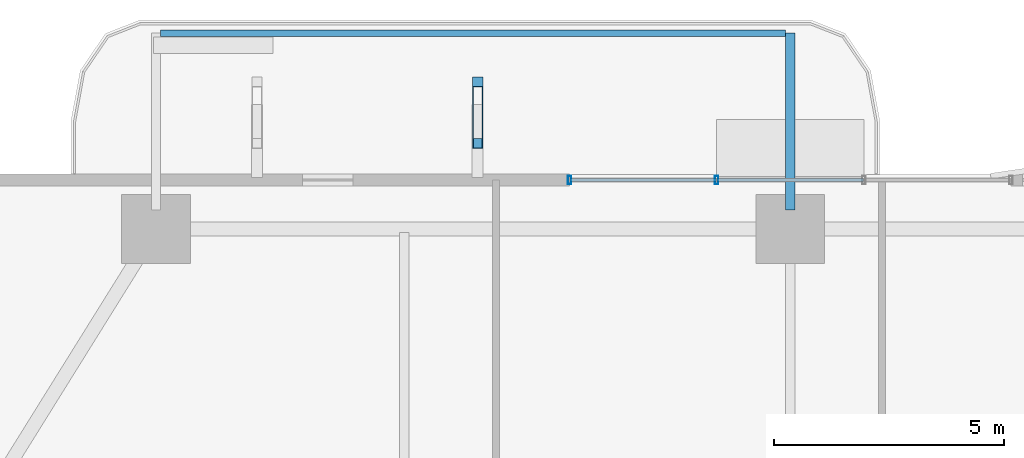
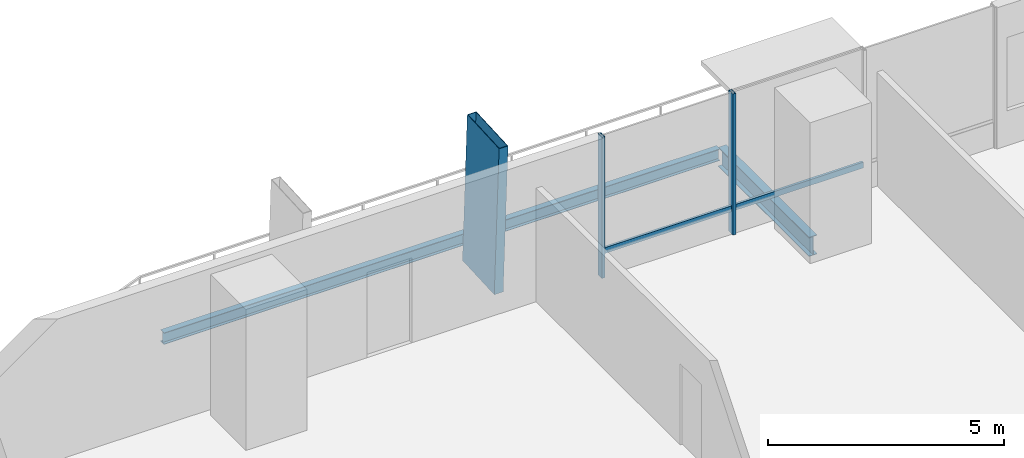
# One storey, part 11 of 24: 5 members, 2 beams, 1 element without a shape of its own.
"""IFC4 building model written with IfcOpenShell, lengths in metres."""

import ifcopenshell
import ifcopenshell.guid

model = None  # the IFC model being written
_history = None  # IfcOwnerHistory: only IFC2X3 demands one
_inside = {}  # id of a spatial element -> (the spatial element, [elements in it])
_under = {}  # id of a project, library or spatial element -> (it, [spatial elements below it])
_declared = {}  # id of a project -> (the project, [libraries it declares])
_typed = {}  # id of a type object -> (the type object, [elements of that type])
_made_of = {}  # id of a material, layer set ... -> (it, [elements and type objects made of it])


def new_model(schema):
    """Start an empty IFC model of exactly this schema.

    Asked for "IFC4X3", IfcOpenShell would pick the latest addendum, in which some entities
    have other attributes; the version numbers below select the first issue.
    IFC2X3 requires an IfcOwnerHistory on every rooted entity: one is made here for all.
    """
    global model, _history
    if schema == "IFC4X3":
        model = ifcopenshell.file(schema_version=(4, 3, 0, 0))
    else:
        model = ifcopenshell.file(schema=schema)
    _inside.clear()
    _under.clear()
    _declared.clear()
    _typed.clear()
    _made_of.clear()
    _history = None
    if model.schema == "IFC2X3":
        org = make("IfcOrganization", Name="unknown")
        user = make(
            "IfcPersonAndOrganization",
            ThePerson=make("IfcPerson", FamilyName="unknown"),
            TheOrganization=org,
        )
        app = make(
            "IfcApplication",
            ApplicationDeveloper=org,
            Version="unknown",
            ApplicationFullName="unknown",
            ApplicationIdentifier="unknown",
        )
        _history = make(
            "IfcOwnerHistory",
            OwningUser=user,
            OwningApplication=app,
            ChangeAction="ADDED",
            CreationDate=0,
        )
    return model


def make(cls, **values):
    """One entity of the class cls with the attributes given. An attribute that is None is left unset."""
    return model.create_entity(
        cls, **{name: value for name, value in values.items() if value is not None}
    )


def rooted(cls, **values):
    """An entity with a GlobalId (a new one), such as an element, a storey or a relation."""
    return make(cls, GlobalId=ifcopenshell.guid.new(), OwnerHistory=_history, **values)


def si_unit(unit_type, name, prefix=None):
    """IfcSIUnit, for example si_unit("LENGTHUNIT", "METRE", prefix="MILLI")."""
    return make("IfcSIUnit", UnitType=unit_type, Prefix=prefix, Name=name)


def assignment(units):
    """IfcUnitAssignment: the units of a project."""
    return None if units is None else make("IfcUnitAssignment", Units=units)


def point(xyz):
    """IfcCartesianPoint."""
    return None if xyz is None else make("IfcCartesianPoint", Coordinates=xyz)


def direction(xyz):
    """IfcDirection."""
    return None if xyz is None else make("IfcDirection", DirectionRatios=xyz)


def frame(location, z_axis=None, x_axis=None):
    """IfcAxis2Placement3D, a coordinate frame: its origin and axes. An axis left out is left unset."""
    return make(
        "IfcAxis2Placement3D",
        Location=point(location),
        Axis=direction(z_axis),
        RefDirection=direction(x_axis),
    )


def frame_2d(location, x_axis=None):
    """IfcAxis2Placement2D, a coordinate frame in the plane: its origin and x axis."""
    return make(
        "IfcAxis2Placement2D", Location=point(location), RefDirection=direction(x_axis)
    )


def origin():
    """The frame at (0, 0, 0) with its axes left unset."""
    return frame((0.0, 0.0, 0.0))


def origin_2d():
    """The frame at (0, 0) in the plane with its x axis left unset."""
    return frame_2d((0.0, 0.0))


def place(relative_to, where):
    """IfcLocalPlacement: puts the frame where relative to a parent placement (None: the world)."""
    return make(
        "IfcLocalPlacement", PlacementRelTo=relative_to, RelativePlacement=where
    )


def context(
    kind, dimensions, precision=None, world=None, true_north=None, identifier=None
):
    """IfcGeometricRepresentationContext, for example the 3D "Model" context."""
    return make(
        "IfcGeometricRepresentationContext",
        ContextIdentifier=identifier,
        ContextType=kind,
        CoordinateSpaceDimension=dimensions,
        Precision=precision,
        WorldCoordinateSystem=world,
        TrueNorth=true_north,
    )


def subcontext(parent, identifier, kind, view, scale=None):
    """IfcGeometricRepresentationSubContext, for example "Body" below "Model"."""
    return make(
        "IfcGeometricRepresentationSubContext",
        ContextIdentifier=identifier,
        ContextType=kind,
        ParentContext=parent,
        TargetScale=scale,
        TargetView=view,
    )


def project(units=None, contexts=None):
    """IfcProject with its units and contexts."""
    return rooted(
        "IfcProject",
        Name="project",
        RepresentationContexts=contexts,
        UnitsInContext=assignment(units),
    )


def spatial(cls, under=None, at=None, **own):
    """A site, building, storey or space (cls), placed at a placement, below another one or the project."""
    s = rooted(cls, ObjectPlacement=at, **own)
    if under is not None:
        _under.setdefault(under.id(), (under, []))[1].append(s)
    return s


def profile(cls, at=None, kind="AREA", **sizes):
    """A parametric profile (cls). Its sizes go by their IFC names, for example OverallWidth=200.0."""
    return make(cls, ProfileType=kind, Position=at, **sizes)


def hollow_rectangle(**sizes):
    """IfcRectangleHollowProfileDef."""
    return profile("IfcRectangleHollowProfileDef", **sizes)


def i_section(**sizes):
    """IfcIShapeProfileDef."""
    return profile("IfcIShapeProfileDef", **sizes)


def extrude(swept, where, along, depth):
    """IfcExtrudedAreaSolid: the profile swept, set in the frame where, extruded along a direction by depth."""
    return make(
        "IfcExtrudedAreaSolid",
        SweptArea=swept,
        Position=where,
        ExtrudedDirection=direction(along),
        Depth=depth,
    )


def shape(context_of_items, identifier, shape_type, items):
    """IfcShapeRepresentation: the items that make up one representation, for example the "Body"."""
    return make(
        "IfcShapeRepresentation",
        ContextOfItems=context_of_items,
        RepresentationIdentifier=identifier,
        RepresentationType=shape_type,
        Items=items,
    )


def material(Name=None, Category=None):
    """IfcMaterial."""
    return make("IfcMaterial", Name=Name, Category=Category)


def layer(
    of_material, thickness, ventilated=None, Name=None, Category=None, Priority=None
):
    """IfcMaterialLayer: one layer of a wall or slab, of a material (None: an air gap)."""
    return make(
        "IfcMaterialLayer",
        Material=of_material,
        LayerThickness=thickness,
        IsVentilated=ventilated,
        Name=Name,
        Category=Category,
        Priority=Priority,
    )


def layer_set(layers, Name=None):
    """IfcMaterialLayerSet."""
    return make("IfcMaterialLayerSet", MaterialLayers=layers, LayerSetName=Name)


def material_profile(
    of_material, cross_section, Name=None, Category=None, Priority=None
):
    """IfcMaterialProfile: a cross section and its material."""
    return make(
        "IfcMaterialProfile",
        Name=Name,
        Material=of_material,
        Profile=cross_section,
        Priority=Priority,
        Category=Category,
    )


def profile_set(profiles, Name=None, composite=None):
    """IfcMaterialProfileSet."""
    return make(
        "IfcMaterialProfileSet",
        Name=Name,
        MaterialProfiles=profiles,
        CompositeProfile=composite,
    )


def made_of(thing, what):
    """Note that an element or type object is made of a material, layer set ...; save() writes the relation."""
    if what is not None:
        _made_of.setdefault(what.id(), (what, []))[1].append(thing)
    return thing


def type_object(cls, material=None, **own):
    """A type object (cls), such as IfcWallType, which elements share."""
    return made_of(rooted(cls, **own), material)


def element(
    cls,
    number,
    at=None,
    inside=None,
    cuts=None,
    type_object=None,
    material=None,
    context=None,
    identifier="Body",
    shape_type=None,
    held_by="IfcProductDefinitionShape",
    body=None,
    shapes=None,
    **own,
):
    """One element of the class cls, such as IfcWall. Its Tag is "e" and its number.

    at: its placement. inside: the storey or other place that contains it. cuts: it is an
    opening in that element (IfcRelVoidsElement). A single representation is given by context,
    identifier, shape_type and body (its items); several are given by shapes. held_by: the class
    of the entity that holds the representations. save() writes the other relations.
    """
    e = rooted(cls, Tag="e%d" % number, ObjectPlacement=at, **own)
    if body is not None:
        shapes = [shape(context, identifier, shape_type, body)]
    if shapes is not None:
        e.Representation = make(held_by, Representations=shapes)
    if inside is not None:
        _inside.setdefault(inside.id(), (inside, []))[1].append(e)
    if cuts is not None:
        rooted(
            "IfcRelVoidsElement", RelatingBuildingElement=cuts, RelatedOpeningElement=e
        )
    if type_object is not None:
        _typed.setdefault(type_object.id(), (type_object, []))[1].append(e)
    return made_of(e, material)


def aggregate(whole, parts):
    """IfcRelAggregates: a whole, such as a stair, and the parts it consists of."""
    return rooted("IfcRelAggregates", RelatingObject=whole, RelatedObjects=parts)


def save(model, path):
    """Write the relations noted so far, then the file.

    IfcRelAggregates (storeys below a building ...), IfcRelContainedInSpatialStructure (elements
    in a storey), IfcRelDefinesByType, IfcRelAssociatesMaterial and IfcRelDeclares: one each for
    every whole, place, type object, material and project.
    """
    for whole, parts in _under.values():
        aggregate(whole, parts)
    for where, things in _inside.values():
        rooted(
            "IfcRelContainedInSpatialStructure",
            RelatedElements=things,
            RelatingStructure=where,
        )
    for kind, things in _typed.values():
        rooted("IfcRelDefinesByType", RelatedObjects=things, RelatingType=kind)
    for what, things in _made_of.values():
        rooted("IfcRelAssociatesMaterial", RelatedObjects=things, RelatingMaterial=what)
    for by, libraries in _declared.values():
        rooted("IfcRelDeclares", RelatingContext=by, RelatedDefinitions=libraries)
    model.write(path)


model = new_model("IFC4")

# Units and contexts
model_context = context("Model", 3, precision=1e-05, world=origin(), true_north=direction((0.0, 1.0)))
body_context = subcontext(model_context, "Body", "Model", "MODEL_VIEW")
ifc_project = project(units=[si_unit("LENGTHUNIT", "METRE"), si_unit("AREAUNIT", "SQUARE_METRE"), si_unit("VOLUMEUNIT", "CUBIC_METRE"), si_unit("PLANEANGLEUNIT", "RADIAN"), si_unit("MASSUNIT", "GRAM", prefix="KILO")], contexts=[model_context])

# Site, building, storey
site_placement = place(None, origin())
site = spatial("IfcSite", under=ifc_project, at=site_placement, CompositionType="ELEMENT")
building_placement = place(site_placement, origin())
building = spatial("IfcBuilding", under=site, at=building_placement, Name="Belovzor Exchange Tower", CompositionType="ELEMENT")
storey_placement = place(building_placement, frame((0.0, 0.0, 69.0)))
storey = spatial("IfcBuildingStorey", under=building, at=storey_placement, Name="L16", CompositionType="ELEMENT", Elevation=69.0)

# Member
ifc_material_1 = material(Name="Extruded Architectural Terracotta on Steel S355 Carrier", Category="masonry")
ifc_material_profile_1 = material_profile(ifc_material_1, hollow_rectangle(XDim=0.219970703125, YDim=1.35009765625, WallThickness=0.013916015625, at=origin_2d()))
ifc_profile_set_1 = profile_set([ifc_material_profile_1], Name="Extruded Architectural Terracotta on Steel S355 Carrier")
member_type_1 = type_object("IfcMemberType", Name="Base Arc Sweeping Terracotta Pylon Fin 1450", PredefinedType="USERDEFINED", material=ifc_profile_set_1)
member_1_placement = place(storey_placement, frame((22.0, 58.132080078125, -0.25), z_axis=(0.0, -0.052512896371, 0.998620245997), x_axis=(1.0, 0.0, 0.0)))
element("IfcMember", 1, at=member_1_placement, inside=storey, type_object=member_type_1, Name="FIN-TC145 Terracotta Facade Fin L16 N2", ObjectType="FIN", PredefinedType="USERDEFINED", context=body_context, shape_type="SweptSolid", body=[
    extrude(hollow_rectangle(XDim=0.219970703125, YDim=1.35009765625, WallThickness=0.013916015625, at=origin_2d()), origin(), (0.0, 0.0, 1.0), 3.9052734375),
])

# Beams
ifc_material_2 = material(Name="Steel S355", Category="steel")
ifc_material_profile_2 = material_profile(ifc_material_2, i_section(OverallWidth=0.199951171875, OverallDepth=0.5, WebThickness=0.01025390625, FlangeThickness=0.01611328125, at=origin_2d()))
ifc_profile_set_2 = profile_set([ifc_material_profile_2], Name="Steel S355")
beam_type_1 = type_object("IfcBeamType", Name="Planted Balcony Cantilever Beam IPE 500", PredefinedType="BEAM", material=ifc_profile_set_2)
beam_1_placement = place(storey_placement, frame((28.800048828125, 55.9130859375, -0.5), z_axis=(0.0, 1.0, 0.0), x_axis=(-1.0, 0.0, 0.0)))
element("IfcBeam", 2, at=beam_1_placement, inside=storey, type_object=beam_type_1, Name="BC-500 Planted Balcony Cantilever Beam IPE 500", PredefinedType="BEAM", context=body_context, shape_type="SweptSolid", body=[
    extrude(i_section(OverallWidth=0.199951171875, OverallDepth=0.5, WebThickness=0.01025390625, FlangeThickness=0.01611328125, at=origin_2d()), origin(), (0.0, 0.0, 1.0), 3.849853515625),
])
ifc_material_3 = material(Name="Steel S355", Category="steel")
ifc_material_profile_3 = material_profile(ifc_material_3, i_section(OverallWidth=0.14990234375, OverallDepth=0.300048828125, WebThickness=0.007080078125, FlangeThickness=0.0107421875, at=origin_2d()))
ifc_profile_set_3 = profile_set([ifc_material_profile_3], Name="Steel S355")
beam_type_2 = type_object("IfcBeamType", Name="Planted Balcony Fascia Edge Beam IPE 300", PredefinedType="BEAM", material=ifc_profile_set_3)
beam_2_placement = place(storey_placement, frame((28.699951171875, 59.762939453125, -0.39990234375), z_axis=(-1.0, 0.0, 0.0), x_axis=(0.0, -1.0, 0.0)))
element("IfcBeam", 3, at=beam_2_placement, inside=storey, type_object=beam_type_2, Name="BC-300 Planted Balcony Fascia Edge Beam IPE 300", PredefinedType="BEAM", context=body_context, shape_type="SweptSolid", body=[
    extrude(i_section(OverallWidth=0.14990234375, OverallDepth=0.300048828125, WebThickness=0.007080078125, FlangeThickness=0.0107421875, at=origin_2d()), origin(), (0.0, 0.0, 1.0), 13.599853515625),
])

# Curtain wall, members
ifc_material_4 = material(Name="Anodised Aluminium Framing", Category="aluminium")
ifc_layer = layer(ifc_material_4, 0.179931640625)
ifc_layer_set = layer_set([ifc_layer], Name="Anodised Aluminium Framing")
curtain_wall_type = type_object("IfcCurtainWallType", Name="Recessed Loggia Low-Iron Triple-Glazed Curtain Wall", PredefinedType="NOTDEFINED", material=ifc_layer_set)
curtain_wall_placement = place(storey_placement, origin())
curtain_wall = element("IfcCurtainWall", 4, at=curtain_wall_placement, inside=storey, type_object=curtain_wall_type, Name="CW3 Recessed Loggia Low-Iron Triple-Glazed Curtain Wall L16", PredefinedType="NOTDEFINED")
ifc_material_5 = material(Name="Steel S355", Category="steel")
ifc_material_profile_4 = material_profile(ifc_material_5, hollow_rectangle(XDim=0.074951171875, YDim=0.179931640625, WallThickness=0.0048828125, at=origin_2d()))
ifc_profile_set_4 = profile_set([ifc_material_profile_4], Name="Steel S355")
member_type_2 = type_object("IfcMemberType", Name="Thermally Broken Curtain Wall Mullion 180x75", PredefinedType="MULLION", material=ifc_profile_set_4)
member_2_placement = place(storey_placement, frame((24.0, 56.570068359375, 0.0), z_axis=(0.0, 0.0, 1.0), x_axis=(1.0, 0.0, 0.0)))
member_2 = element("IfcMember", 5, at=member_2_placement, type_object=member_type_2, Name="CW-M180 Curtain Wall Mullion 1", PredefinedType="MULLION", context=body_context, shape_type="SweptSolid", body=[
    extrude(hollow_rectangle(XDim=0.074951171875, YDim=0.179931640625, WallThickness=0.0048828125, at=origin_2d()), origin(), (0.0, 0.0, 1.0), 3.64990234375),
])
member_3_placement = place(storey_placement, frame((27.199951171875, 56.570068359375, 0.0), z_axis=(0.0, 0.0, 1.0), x_axis=(1.0, 0.0, 0.0)))
member_3 = element("IfcMember", 6, at=member_3_placement, type_object=member_type_2, Name="CW-M180 Curtain Wall Mullion 2", PredefinedType="MULLION", context=body_context, shape_type="SweptSolid", body=[
    extrude(hollow_rectangle(XDim=0.074951171875, YDim=0.179931640625, WallThickness=0.0048828125, at=origin_2d()), origin(), (0.0, 0.0, 1.0), 3.64990234375),
])
ifc_material_6 = material(Name="Steel S355", Category="steel")
ifc_material_profile_5 = material_profile(ifc_material_6, hollow_rectangle(XDim=0.06005859375, YDim=0.14990234375, WallThickness=0.00390625, at=origin_2d()))
ifc_profile_set_5 = profile_set([ifc_material_profile_5], Name="Steel S355")
member_type_3 = type_object("IfcMemberType", Name="Thermally Broken Curtain Wall Transom 150x60", PredefinedType="USERDEFINED", material=ifc_profile_set_5)
member_4_placement = place(storey_placement, frame((24.008056640625, 56.570068359375, 0.64990234375), z_axis=(1.0, 0.0, 0.0), x_axis=(0.0, 1.0, 0.0)))
member_4 = element("IfcMember", 7, at=member_4_placement, type_object=member_type_3, Name="CW-T150 Curtain Wall Transom 1", ObjectType="TRANSOM", PredefinedType="USERDEFINED", context=body_context, shape_type="SweptSolid", body=[
    extrude(hollow_rectangle(XDim=0.06005859375, YDim=0.14990234375, WallThickness=0.00390625, at=origin_2d()), origin(), (0.0, 0.0, 1.0), 3.183837890625),
])
member_5_placement = place(storey_placement, frame((27.2080078125, 56.570068359375, 0.64990234375), z_axis=(1.0, 0.0, 0.0), x_axis=(0.0, 1.0, 0.0)))
member_5 = element("IfcMember", 8, at=member_5_placement, type_object=member_type_3, Name="CW-T150 Curtain Wall Transom 2", ObjectType="TRANSOM", PredefinedType="USERDEFINED", context=body_context, shape_type="SweptSolid", body=[
    extrude(hollow_rectangle(XDim=0.06005859375, YDim=0.14990234375, WallThickness=0.00390625, at=origin_2d()), origin(), (0.0, 0.0, 1.0), 3.18408203125),
])
aggregate(curtain_wall, [member_2, member_3, member_4, member_5])

save(model, "model.ifc")
